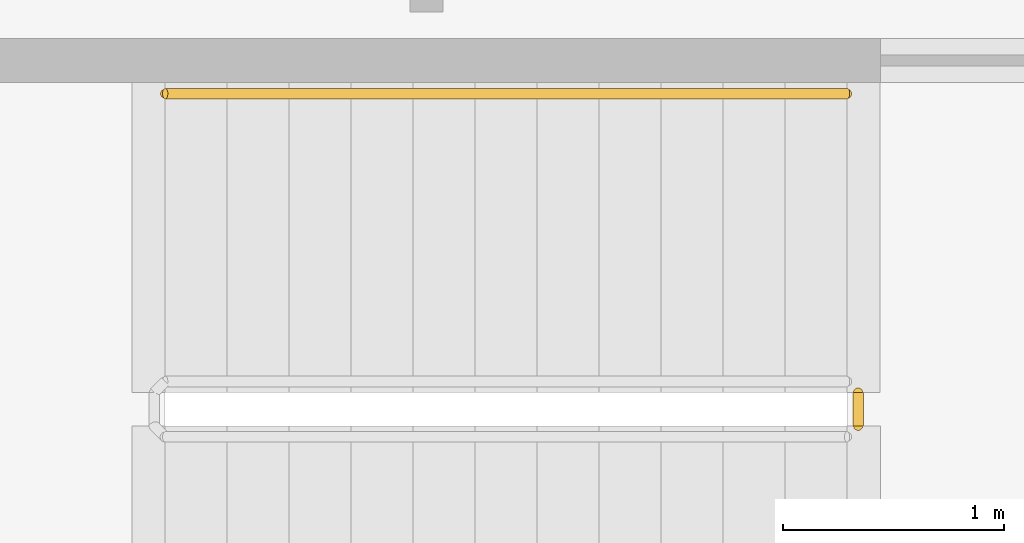
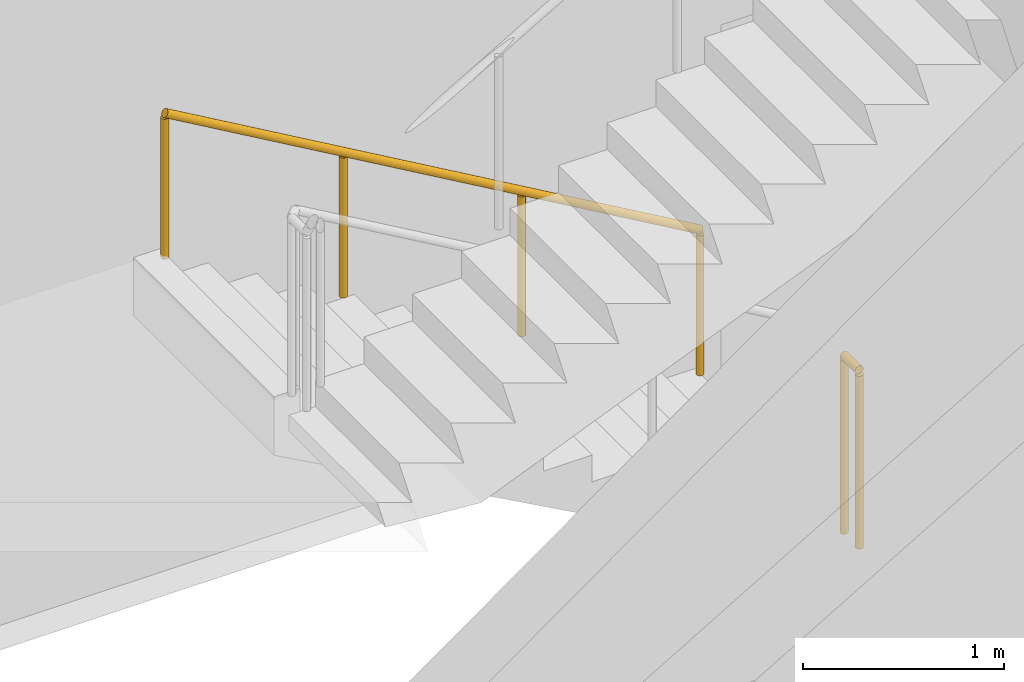
# One storey, part 20 of 23: 2 railings.
"""IFC4 building model written with IfcOpenShell, lengths in metres."""

from ifc_helpers import new_model, si_unit, direction, frame, origin, origin_2d, place, context, subcontext, project, spatial, circle, extrude, material, type_object, element, save


model = new_model("IFC4")

# Units and contexts
model_context = context("Model", 3, precision=1e-05, world=origin(), true_north=direction((0.0, 1.0)))
body_context = subcontext(model_context, "Body", "Model", "MODEL_VIEW")
ifc_project = project(units=[si_unit("LENGTHUNIT", "METRE"), si_unit("AREAUNIT", "SQUARE_METRE"), si_unit("VOLUMEUNIT", "CUBIC_METRE"), si_unit("PLANEANGLEUNIT", "RADIAN"), si_unit("MASSUNIT", "GRAM", prefix="KILO")], contexts=[model_context])

# Site, building, storey
site_placement = place(None, origin())
site = spatial("IfcSite", under=ifc_project, at=site_placement, CompositionType="ELEMENT")
building_placement = place(site_placement, origin())
building = spatial("IfcBuilding", under=site, at=building_placement, Name="Kheshtan School and Residences Tower", CompositionType="ELEMENT")
storey_placement = place(building_placement, frame((0.0, 0.0, 259.10009765625)))
storey = spatial("IfcBuildingStorey", under=building, at=storey_placement, Name="L61", CompositionType="ELEMENT", Elevation=259.10009765625)

# Railings
ifc_material_1 = material(Name="Stainless steel balustrade", Category="steel")
railing_type_1 = type_object("IfcRailingType", Name="Stair guard 1100", PredefinedType="GUARDRAIL", material=ifc_material_1)
railing_1_placement = place(storey_placement, frame((78.4599609375, 24.39990234375, 0.0)))
element("IfcRailing", 1, at=railing_1_placement, inside=storey, type_object=railing_type_1, Name="L61 ST5 stair guard 2", PredefinedType="GUARDRAIL", context=body_context, shape_type="SweptSolid", body=[
    extrude(circle(Radius=0.02392578125, at=origin_2d()), frame((0.0, 0.0, 1.076171875), z_axis=(0.0, -1.0, 0.0), x_axis=(1.0, 0.0, 0.0)), (0.0, 0.0, 1.0), 0.14990234375),
    extrude(circle(Radius=0.02099609375, at=origin_2d()), origin(), (0.0, 0.0, 1.0), 1.052001953125),
    extrude(circle(Radius=0.02099609375, at=origin_2d()), frame((0.0, -0.14990234375, 0.0)), (0.0, 0.0, 1.0), 1.052001953125),
])
ifc_material_2 = material(Name="Stainless steel handrail", Category="steel")
railing_type_2 = type_object("IfcRailingType", Name="Stair handrail 900", PredefinedType="HANDRAIL", material=ifc_material_2)
railing_2_placement = place(storey_placement, frame((78.409912109375, 25.75, 0.162353515625)))
element("IfcRailing", 2, at=railing_2_placement, inside=storey, type_object=railing_type_2, Name="L61 ST5 stair handrail 1", PredefinedType="HANDRAIL", context=body_context, shape_type="SweptSolid", body=[
    extrude(circle(Radius=0.02392578125, at=origin_2d()), frame((0.0, 0.0, 0.8759765625), z_axis=(-0.864873446163, 0.0, 0.501989962173), x_axis=(0.0, -1.0, 0.0)), (0.0, 0.0, 1.0), 3.56103515625),
    extrude(circle(Radius=0.02099609375, at=origin_2d()), origin(), (0.0, 0.0, 1.0), 0.851806640625),
    extrude(circle(Radius=0.02099609375, at=origin_2d()), frame((-1.026611328125, 0.0, 0.595947265625)), (0.0, 0.0, 1.0), 0.851806640625),
    extrude(circle(Radius=0.02099609375, at=origin_2d()), frame((-2.05322265625, 0.0, 1.191650390625)), (0.0, 0.0, 1.0), 0.851806640625),
    extrude(circle(Radius=0.02099609375, at=origin_2d()), frame((-3.079833984375, 0.0, 1.78759765625)), (0.0, 0.0, 1.0), 0.851806640625),
])

save(model, "model.ifc")
